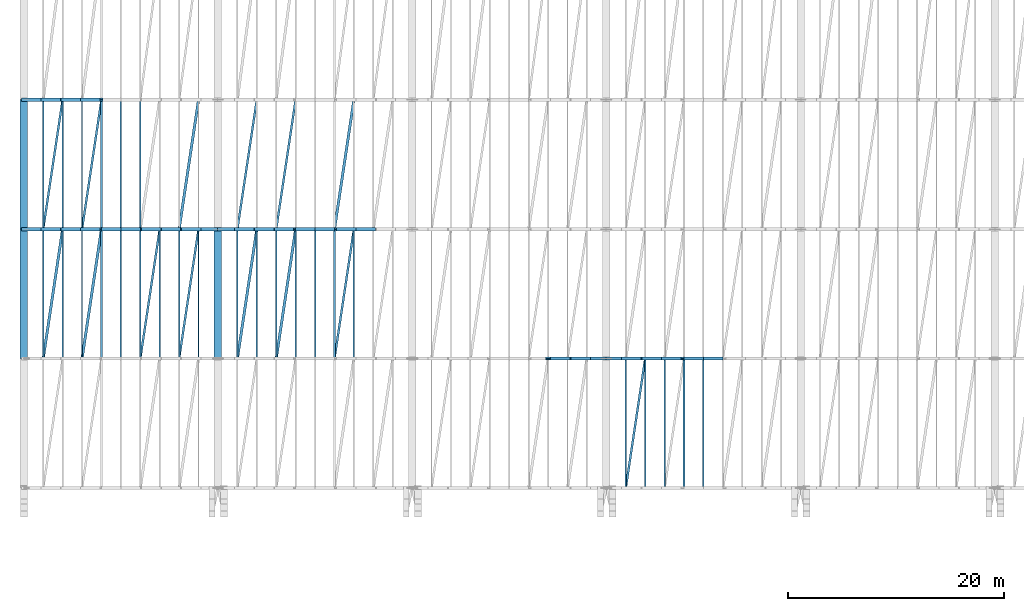
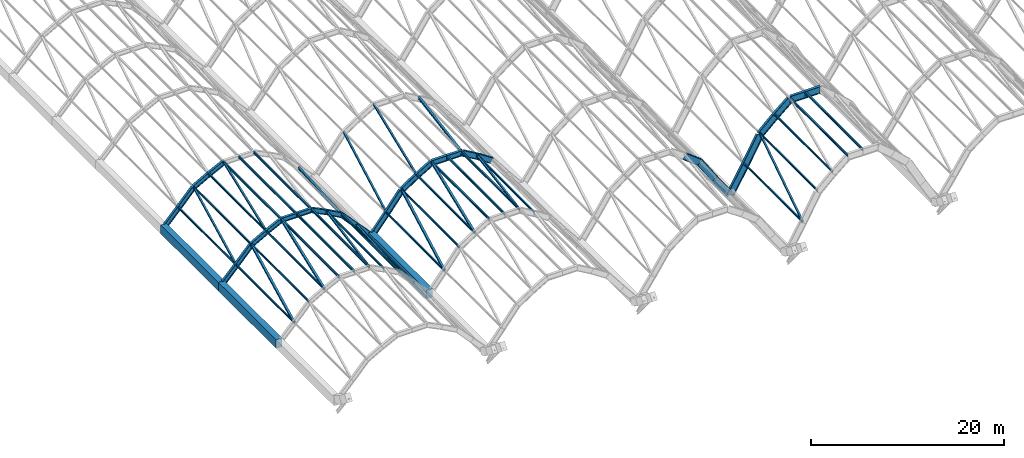
# One storey, part 9 of 86: 41 members, 34 beams.
"""IFC4 building model written with IfcOpenShell, lengths in metres."""

from ifc_helpers import new_model, si_unit, direction, frame, origin, origin_2d, place, context, subcontext, project, spatial, rectangle, i_section, extrude, material, material_profile, profile_set, type_object, element, save


model = new_model("IFC4")

# Units and contexts
model_context = context("Model", 3, precision=1e-05, world=origin(), true_north=direction((0.0, 1.0)))
body_context = subcontext(model_context, "Body", "Model", "MODEL_VIEW")
ifc_project = project(units=[si_unit("LENGTHUNIT", "METRE"), si_unit("AREAUNIT", "SQUARE_METRE"), si_unit("VOLUMEUNIT", "CUBIC_METRE"), si_unit("PLANEANGLEUNIT", "RADIAN"), si_unit("MASSUNIT", "GRAM", prefix="KILO")], contexts=[model_context])

# Site, building, storey
site_placement = place(None, origin())
site = spatial("IfcSite", under=ifc_project, at=site_placement, CompositionType="ELEMENT")
building_placement = place(site_placement, origin())
building = spatial("IfcBuilding", under=site, at=building_placement, Name="Chuanluo Vaults Station", CompositionType="ELEMENT")
storey_placement = place(building_placement, frame((0.0, 0.0, 14.39990234375)))
storey = spatial("IfcBuildingStorey", under=building, at=storey_placement, Name="L03", CompositionType="ELEMENT", Elevation=14.39990234375)

# Beams
ifc_material_1 = material(Name="Concrete C50", Category="concrete")
ifc_material_profile_1 = material_profile(ifc_material_1, rectangle(XDim=0.699951171875, YDim=1.10009765625, at=origin_2d()))
ifc_profile_set_1 = profile_set([ifc_material_profile_1], Name="Concrete C50")
beam_type_1 = type_object("IfcBeamType", Name="BM-VAL-RC", PredefinedType="USERDEFINED", material=ifc_profile_set_1)
for number, where, z_axis, x_axis, name in (
    (1, (0.0, 30.0, -0.7998046875), (0.0, 1.0, 0.0), (-1.0, 0.0, 0.0), "Vault springing valley beam X0-2"),
    (2, (0.0, 42.0, -0.7998046875), (0.0, 1.0, 0.0), (-1.0, 0.0, 0.0), "Vault springing valley beam X0-3"),
    (3, (18.0, 30.0, -0.7998046875), (0.0, 1.0, 0.0), (-1.0, 0.0, 0.0), "Vault springing valley beam X18-2"),
):
    element("IfcBeam", number, at=place(storey_placement, frame(where, z_axis=z_axis, x_axis=x_axis)), inside=storey, type_object=beam_type_1, Name=name, ObjectType="GIRDER", PredefinedType="USERDEFINED", context=body_context, shape_type="SweptSolid", body=[
        extrude(rectangle(XDim=0.699951171875, YDim=1.10009765625, at=origin_2d()), origin(), (0.0, 0.0, 1.0), 12.0),
    ])
ifc_material_2 = material(Name="Steel Q355C", Category="steel")
ifc_material_profile_2 = material_profile(ifc_material_2, i_section(OverallWidth=0.300048828125, OverallDepth=0.587890625, WebThickness=0.011962890625, FlangeThickness=0.02001953125, FilletRadius=0.02392578125, at=origin_2d()))
ifc_profile_set_2 = profile_set([ifc_material_profile_2], Name="Steel Q355C")
beam_type_2 = type_object("IfcBeamType", Name="BM-VLT-600", PredefinedType="USERDEFINED", material=ifc_profile_set_2)
beam_1_placement = place(storey_placement, frame((0.0, 42.0, -0.743896484375), z_axis=(0.684521510403, 0.0, 0.728992662374), x_axis=(0.0, 1.0, 0.0)))
element("IfcBeam", 4, at=beam_1_placement, inside=storey, type_object=beam_type_2, Name="Vault V1 arch rib 3 chord 1", ObjectType="GIRDER", PredefinedType="USERDEFINED", context=body_context, shape_type="SweptSolid", body=[
    extrude(i_section(OverallWidth=0.300048828125, OverallDepth=0.587890625, WebThickness=0.011962890625, FlangeThickness=0.02001953125, FilletRadius=0.02392578125, at=origin_2d()), origin(), (0.0, 0.0, 1.0), 2.629638671875),
])
beam_2_placement = place(storey_placement, frame((1.800048828125, 42.0, 1.173095703125), z_axis=(0.674369120381, 0.0, 0.738394399679), x_axis=(0.0, 1.0, 0.0)))
element("IfcBeam", 5, at=beam_2_placement, inside=storey, type_object=beam_type_2, Name="Vault V1 arch rib 3 chord 2", ObjectType="GIRDER", PredefinedType="USERDEFINED", context=body_context, shape_type="SweptSolid", body=[
    extrude(i_section(OverallWidth=0.300048828125, OverallDepth=0.587890625, WebThickness=0.011962890625, FlangeThickness=0.02001953125, FilletRadius=0.02392578125, at=origin_2d()), origin(), (0.0, 0.0, 1.0), 2.669189453125),
])
beam_3_placement = place(storey_placement, frame((3.60009765625, 42.0, 3.14404296875), z_axis=(0.873681685546, 0.0, 0.486498008569), x_axis=(0.0, 1.0, 0.0)))
element("IfcBeam", 6, at=beam_3_placement, inside=storey, type_object=beam_type_2, Name="Vault V1 arch rib 3 chord 3", ObjectType="GIRDER", PredefinedType="USERDEFINED", context=body_context, shape_type="SweptSolid", body=[
    extrude(i_section(OverallWidth=0.300048828125, OverallDepth=0.587890625, WebThickness=0.011962890625, FlangeThickness=0.02001953125, FilletRadius=0.02392578125, at=origin_2d()), origin(), (0.0, 0.0, 1.0), 2.06005859375),
])
beam_4_placement = place(storey_placement, frame((5.39990234375, 42.0, 4.146240234375), z_axis=(0.896436371213, 0.0, 0.443172463457), x_axis=(0.0, 1.0, 0.0)))
element("IfcBeam", 7, at=beam_4_placement, inside=storey, type_object=beam_type_2, Name="Vault V1 arch rib 3 chord 4", ObjectType="GIRDER", PredefinedType="USERDEFINED", context=body_context, shape_type="SweptSolid", body=[
    extrude(i_section(OverallWidth=0.300048828125, OverallDepth=0.587890625, WebThickness=0.011962890625, FlangeThickness=0.02001953125, FilletRadius=0.02392578125, at=origin_2d()), origin(), (0.0, 0.0, 1.0), 2.008056640625),
])
for number, where, z_axis, x_axis, name in (
    (8, (7.199951171875, 42.0, 5.0361328125), (1.0, 0.0, 0.0), (0.0, 1.0, 0.0), "Vault V1 arch rib 3 chord 5"),
    (9, (9.0, 42.0, 5.0361328125), (1.0, 0.0, 0.0), (0.0, 1.0, 0.0), "Vault V1 arch rib 3 chord 6"),
):
    element("IfcBeam", number, at=place(storey_placement, frame(where, z_axis=z_axis, x_axis=x_axis)), inside=storey, type_object=beam_type_2, Name=name, ObjectType="GIRDER", PredefinedType="USERDEFINED", context=body_context, shape_type="SweptSolid", body=[
        extrude(i_section(OverallWidth=0.300048828125, OverallDepth=0.587890625, WebThickness=0.011962890625, FlangeThickness=0.02001953125, FilletRadius=0.02392578125, at=origin_2d()), origin(), (0.0, 0.0, 1.0), 1.800048828125),
    ])
beam_5_placement = place(storey_placement, frame((10.800048828125, 42.0, 5.0361328125), z_axis=(0.896436371213, 0.0, -0.443172463457), x_axis=(0.0, 1.0, 0.0)))
element("IfcBeam", 10, at=beam_5_placement, inside=storey, type_object=beam_type_2, Name="Vault V1 arch rib 3 chord 7", ObjectType="GIRDER", PredefinedType="USERDEFINED", context=body_context, shape_type="SweptSolid", body=[
    extrude(i_section(OverallWidth=0.300048828125, OverallDepth=0.587890625, WebThickness=0.011962890625, FlangeThickness=0.02001953125, FilletRadius=0.02392578125, at=origin_2d()), origin(), (0.0, 0.0, 1.0), 2.008056640625),
])
beam_6_placement = place(storey_placement, frame((12.60009765625, 42.0, 4.146240234375), z_axis=(0.873681685546, 0.0, -0.486498008569), x_axis=(0.0, 1.0, 0.0)))
element("IfcBeam", 11, at=beam_6_placement, inside=storey, type_object=beam_type_2, Name="Vault V1 arch rib 3 chord 8", ObjectType="GIRDER", PredefinedType="USERDEFINED", context=body_context, shape_type="SweptSolid", body=[
    extrude(i_section(OverallWidth=0.300048828125, OverallDepth=0.587890625, WebThickness=0.011962890625, FlangeThickness=0.02001953125, FilletRadius=0.02392578125, at=origin_2d()), origin(), (0.0, 0.0, 1.0), 2.06005859375),
])
beam_7_placement = place(storey_placement, frame((14.39990234375, 42.0, 3.14404296875), z_axis=(0.674369120381, 0.0, -0.738394399679), x_axis=(0.0, 1.0, 0.0)))
element("IfcBeam", 12, at=beam_7_placement, inside=storey, type_object=beam_type_2, Name="Vault V1 arch rib 3 chord 9", ObjectType="GIRDER", PredefinedType="USERDEFINED", context=body_context, shape_type="SweptSolid", body=[
    extrude(i_section(OverallWidth=0.300048828125, OverallDepth=0.587890625, WebThickness=0.011962890625, FlangeThickness=0.02001953125, FilletRadius=0.02392578125, at=origin_2d()), origin(), (0.0, 0.0, 1.0), 2.669189453125),
])
for number, where, z_axis, x_axis, name in (
    (13, (16.199951171875, 42.0, 1.173095703125), (0.684521510403, 0.0, -0.728992662374), (0.0, 1.0, 0.0), "Vault V1 arch rib 3 chord 10"),
    (14, (0.0, 54.0, -0.743896484375), (0.684521510403, 0.0, 0.728992662374), (0.0, 1.0, 0.0), "Vault V1 arch rib 4 chord 1"),
):
    element("IfcBeam", number, at=place(storey_placement, frame(where, z_axis=z_axis, x_axis=x_axis)), inside=storey, type_object=beam_type_2, Name=name, ObjectType="GIRDER", PredefinedType="USERDEFINED", context=body_context, shape_type="SweptSolid", body=[
        extrude(i_section(OverallWidth=0.300048828125, OverallDepth=0.587890625, WebThickness=0.011962890625, FlangeThickness=0.02001953125, FilletRadius=0.02392578125, at=origin_2d()), origin(), (0.0, 0.0, 1.0), 2.629638671875),
    ])
beam_8_placement = place(storey_placement, frame((1.800048828125, 54.0, 1.173095703125), z_axis=(0.674369120381, 0.0, 0.738394399679), x_axis=(0.0, 1.0, 0.0)))
element("IfcBeam", 15, at=beam_8_placement, inside=storey, type_object=beam_type_2, Name="Vault V1 arch rib 4 chord 2", ObjectType="GIRDER", PredefinedType="USERDEFINED", context=body_context, shape_type="SweptSolid", body=[
    extrude(i_section(OverallWidth=0.300048828125, OverallDepth=0.587890625, WebThickness=0.011962890625, FlangeThickness=0.02001953125, FilletRadius=0.02392578125, at=origin_2d()), origin(), (0.0, 0.0, 1.0), 2.669189453125),
])
beam_9_placement = place(storey_placement, frame((3.60009765625, 54.0, 3.14404296875), z_axis=(0.873681685546, 0.0, 0.486498008569), x_axis=(0.0, 1.0, 0.0)))
element("IfcBeam", 16, at=beam_9_placement, inside=storey, type_object=beam_type_2, Name="Vault V1 arch rib 4 chord 3", ObjectType="GIRDER", PredefinedType="USERDEFINED", context=body_context, shape_type="SweptSolid", body=[
    extrude(i_section(OverallWidth=0.300048828125, OverallDepth=0.587890625, WebThickness=0.011962890625, FlangeThickness=0.02001953125, FilletRadius=0.02392578125, at=origin_2d()), origin(), (0.0, 0.0, 1.0), 2.06005859375),
])
beam_10_placement = place(storey_placement, frame((5.39990234375, 54.0, 4.146240234375), z_axis=(0.896436371213, 0.0, 0.443172463457), x_axis=(0.0, 1.0, 0.0)))
element("IfcBeam", 17, at=beam_10_placement, inside=storey, type_object=beam_type_2, Name="Vault V1 arch rib 4 chord 4", ObjectType="GIRDER", PredefinedType="USERDEFINED", context=body_context, shape_type="SweptSolid", body=[
    extrude(i_section(OverallWidth=0.300048828125, OverallDepth=0.587890625, WebThickness=0.011962890625, FlangeThickness=0.02001953125, FilletRadius=0.02392578125, at=origin_2d()), origin(), (0.0, 0.0, 1.0), 2.008056640625),
])
ifc_material_3 = material(Name="Steel Q355C", Category="steel")
ifc_material_profile_3 = material_profile(ifc_material_3, i_section(OverallWidth=0.300048828125, OverallDepth=0.699951171875, WebThickness=0.012939453125, FlangeThickness=0.02392578125, FilletRadius=0.02392578125, at=origin_2d()))
ifc_profile_set_3 = profile_set([ifc_material_profile_3], Name="Steel Q355C")
beam_type_3 = type_object("IfcBeamType", Name="BM-VLT-700", PredefinedType="USERDEFINED", material=ifc_profile_set_3)
beam_11_placement = place(storey_placement, frame((18.0, 42.0, -0.7998046875), z_axis=(0.628190338877, 0.0, 0.778059700885), x_axis=(0.0, 1.0, 0.0)))
element("IfcBeam", 18, at=beam_11_placement, inside=storey, type_object=beam_type_3, Name="Vault V2 arch rib 3 chord 1", ObjectType="GIRDER", PredefinedType="USERDEFINED", context=body_context, shape_type="SweptSolid", body=[
    extrude(i_section(OverallWidth=0.300048828125, OverallDepth=0.699951171875, WebThickness=0.012939453125, FlangeThickness=0.02392578125, FilletRadius=0.02392578125, at=origin_2d()), origin(), (0.0, 0.0, 1.0), 2.865478515625),
])
beam_12_placement = place(storey_placement, frame((19.800048828125, 42.0, 1.4296875), z_axis=(0.613681275736, 0.0, 0.789553856182), x_axis=(0.0, 1.0, 0.0)))
element("IfcBeam", 19, at=beam_12_placement, inside=storey, type_object=beam_type_3, Name="Vault V2 arch rib 3 chord 2", ObjectType="GIRDER", PredefinedType="USERDEFINED", context=body_context, shape_type="SweptSolid", body=[
    extrude(i_section(OverallWidth=0.300048828125, OverallDepth=0.699951171875, WebThickness=0.012939453125, FlangeThickness=0.02392578125, FilletRadius=0.02392578125, at=origin_2d()), origin(), (0.0, 0.0, 1.0), 2.93310546875),
])
beam_13_placement = place(storey_placement, frame((21.60009765625, 42.0, 3.74560546875), z_axis=(0.836145448105, 0.0, 0.54850778446), x_axis=(0.0, 1.0, 0.0)))
element("IfcBeam", 20, at=beam_13_placement, inside=storey, type_object=beam_type_3, Name="Vault V2 arch rib 3 chord 3", ObjectType="GIRDER", PredefinedType="USERDEFINED", context=body_context, shape_type="SweptSolid", body=[
    extrude(i_section(OverallWidth=0.300048828125, OverallDepth=0.699951171875, WebThickness=0.012939453125, FlangeThickness=0.02392578125, FilletRadius=0.02392578125, at=origin_2d()), origin(), (0.0, 0.0, 1.0), 2.152587890625),
])
beam_14_placement = place(storey_placement, frame((23.39990234375, 42.0, 4.92626953125), z_axis=(0.863009490662, 0.0, 0.505187706727), x_axis=(0.0, 1.0, 0.0)))
element("IfcBeam", 21, at=beam_14_placement, inside=storey, type_object=beam_type_3, Name="Vault V2 arch rib 3 chord 4", ObjectType="GIRDER", PredefinedType="USERDEFINED", context=body_context, shape_type="SweptSolid", body=[
    extrude(i_section(OverallWidth=0.300048828125, OverallDepth=0.699951171875, WebThickness=0.012939453125, FlangeThickness=0.02392578125, FilletRadius=0.02392578125, at=origin_2d()), origin(), (0.0, 0.0, 1.0), 2.085693359375),
])
for number, where, z_axis, x_axis, name in (
    (22, (25.199951171875, 42.0, 5.97998046875), (1.0, 0.0, 0.0), (0.0, 1.0, 0.0), "Vault V2 arch rib 3 chord 5"),
    (23, (27.0, 42.0, 5.97998046875), (1.0, 0.0, 0.0), (0.0, 1.0, 0.0), "Vault V2 arch rib 3 chord 6"),
):
    element("IfcBeam", number, at=place(storey_placement, frame(where, z_axis=z_axis, x_axis=x_axis)), inside=storey, type_object=beam_type_3, Name=name, ObjectType="GIRDER", PredefinedType="USERDEFINED", context=body_context, shape_type="SweptSolid", body=[
        extrude(i_section(OverallWidth=0.300048828125, OverallDepth=0.699951171875, WebThickness=0.012939453125, FlangeThickness=0.02392578125, FilletRadius=0.02392578125, at=origin_2d()), origin(), (0.0, 0.0, 1.0), 1.800048828125),
    ])
beam_15_placement = place(storey_placement, frame((28.800048828125, 42.0, 5.97998046875), z_axis=(0.863009490662, 0.0, -0.505187706727), x_axis=(0.0, 1.0, 0.0)))
element("IfcBeam", 24, at=beam_15_placement, inside=storey, type_object=beam_type_3, Name="Vault V2 arch rib 3 chord 7", ObjectType="GIRDER", PredefinedType="USERDEFINED", context=body_context, shape_type="SweptSolid", body=[
    extrude(i_section(OverallWidth=0.300048828125, OverallDepth=0.699951171875, WebThickness=0.012939453125, FlangeThickness=0.02392578125, FilletRadius=0.02392578125, at=origin_2d()), origin(), (0.0, 0.0, 1.0), 2.085693359375),
])
beam_16_placement = place(storey_placement, frame((30.60009765625, 42.0, 4.92626953125), z_axis=(0.836145448105, 0.0, -0.54850778446), x_axis=(0.0, 1.0, 0.0)))
element("IfcBeam", 25, at=beam_16_placement, inside=storey, type_object=beam_type_3, Name="Vault V2 arch rib 3 chord 8", ObjectType="GIRDER", PredefinedType="USERDEFINED", context=body_context, shape_type="SweptSolid", body=[
    extrude(i_section(OverallWidth=0.300048828125, OverallDepth=0.699951171875, WebThickness=0.012939453125, FlangeThickness=0.02392578125, FilletRadius=0.02392578125, at=origin_2d()), origin(), (0.0, 0.0, 1.0), 2.152587890625),
])
ifc_material_4 = material(Name="Steel Q355C", Category="steel")
ifc_material_profile_4 = material_profile(ifc_material_4, i_section(OverallWidth=0.300048828125, OverallDepth=0.800048828125, WebThickness=0.013916015625, FlangeThickness=0.02587890625, FilletRadius=0.02392578125, at=origin_2d()))
ifc_profile_set_4 = profile_set([ifc_material_profile_4], Name="Steel Q355C")
beam_type_4 = type_object("IfcBeamType", Name="BM-VLT-800", PredefinedType="USERDEFINED", material=ifc_profile_set_4)
beam_17_placement = place(storey_placement, frame((48.60009765625, 30.0, 5.8779296875), z_axis=(0.790274889356, 0.0, -0.612752477965), x_axis=(0.0, 1.0, 0.0)))
element("IfcBeam", 26, at=beam_17_placement, inside=storey, type_object=beam_type_4, Name="Vault V3 arch rib 2 chord 8", ObjectType="GIRDER", PredefinedType="USERDEFINED", context=body_context, shape_type="SweptSolid", body=[
    extrude(i_section(OverallWidth=0.300048828125, OverallDepth=0.800048828125, WebThickness=0.013916015625, FlangeThickness=0.02587890625, FilletRadius=0.02392578125, at=origin_2d()), origin(), (0.0, 0.0, 1.0), 2.27734375),
])
beam_18_placement = place(storey_placement, frame((50.39990234375, 30.0, 4.482421875), z_axis=(0.550471867992, 0.0, -0.834853713263), x_axis=(0.0, 1.0, 0.0)))
element("IfcBeam", 27, at=beam_18_placement, inside=storey, type_object=beam_type_4, Name="Vault V3 arch rib 2 chord 9", ObjectType="GIRDER", PredefinedType="USERDEFINED", context=body_context, shape_type="SweptSolid", body=[
    extrude(i_section(OverallWidth=0.300048828125, OverallDepth=0.800048828125, WebThickness=0.013916015625, FlangeThickness=0.02587890625, FilletRadius=0.02392578125, at=origin_2d()), origin(), (0.0, 0.0, 1.0), 3.27001953125),
])
beam_19_placement = place(storey_placement, frame((52.199951171875, 30.0, 1.75244140625), z_axis=(0.568880934439, 0.0, -0.822419894234), x_axis=(0.0, 1.0, 0.0)))
element("IfcBeam", 28, at=beam_19_placement, inside=storey, type_object=beam_type_4, Name="Vault V3 arch rib 2 chord 10", ObjectType="GIRDER", PredefinedType="USERDEFINED", context=body_context, shape_type="SweptSolid", body=[
    extrude(i_section(OverallWidth=0.300048828125, OverallDepth=0.800048828125, WebThickness=0.013916015625, FlangeThickness=0.02587890625, FilletRadius=0.02392578125, at=origin_2d()), origin(), (0.0, 0.0, 1.0), 3.164306640625),
])
ifc_material_5 = material(Name="Steel Q355C", Category="steel")
ifc_material_profile_5 = material_profile(ifc_material_5, i_section(OverallWidth=0.300048828125, OverallDepth=0.89990234375, WebThickness=0.01611328125, FlangeThickness=0.028076171875, FilletRadius=0.02392578125, at=origin_2d()))
ifc_profile_set_5 = profile_set([ifc_material_profile_5], Name="Steel Q355C")
beam_type_5 = type_object("IfcBeamType", Name="BM-VLT-900", PredefinedType="USERDEFINED", material=ifc_profile_set_5)
beam_20_placement = place(storey_placement, frame((54.0, 30.0, -0.89990234375), z_axis=(0.502607424266, 0.0, 0.864514763941), x_axis=(0.0, 1.0, 0.0)))
element("IfcBeam", 29, at=beam_20_placement, inside=storey, type_object=beam_type_5, Name="Vault V4 arch rib 2 chord 1", ObjectType="GIRDER", PredefinedType="USERDEFINED", context=body_context, shape_type="SweptSolid", body=[
    extrude(i_section(OverallWidth=0.300048828125, OverallDepth=0.89990234375, WebThickness=0.01611328125, FlangeThickness=0.028076171875, FilletRadius=0.02392578125, at=origin_2d()), origin(), (0.0, 0.0, 1.0), 3.58154296875),
])
beam_21_placement = place(storey_placement, frame((55.800048828125, 30.0, 2.1962890625), z_axis=(0.480856872349, 0.0, 0.876799103738), x_axis=(0.0, 1.0, 0.0)))
element("IfcBeam", 30, at=beam_21_placement, inside=storey, type_object=beam_type_5, Name="Vault V4 arch rib 2 chord 2", ObjectType="GIRDER", PredefinedType="USERDEFINED", context=body_context, shape_type="SweptSolid", body=[
    extrude(i_section(OverallWidth=0.300048828125, OverallDepth=0.89990234375, WebThickness=0.01611328125, FlangeThickness=0.028076171875, FilletRadius=0.02392578125, at=origin_2d()), origin(), (0.0, 0.0, 1.0), 3.743408203125),
])
beam_22_placement = place(storey_placement, frame((57.60009765625, 30.0, 5.478515625), z_axis=(0.730389392317, 0.0, 0.683030991676), x_axis=(0.0, 1.0, 0.0)))
element("IfcBeam", 31, at=beam_22_placement, inside=storey, type_object=beam_type_5, Name="Vault V4 arch rib 2 chord 3", ObjectType="GIRDER", PredefinedType="USERDEFINED", context=body_context, shape_type="SweptSolid", body=[
    extrude(i_section(OverallWidth=0.300048828125, OverallDepth=0.89990234375, WebThickness=0.01611328125, FlangeThickness=0.028076171875, FilletRadius=0.02392578125, at=origin_2d()), origin(), (0.0, 0.0, 1.0), 2.464111328125),
])
beam_23_placement = place(storey_placement, frame((59.39990234375, 30.0, 7.16162109375), z_axis=(0.76434097912, 0.0, 0.644812273176), x_axis=(0.0, 1.0, 0.0)))
element("IfcBeam", 32, at=beam_23_placement, inside=storey, type_object=beam_type_5, Name="Vault V4 arch rib 2 chord 4", ObjectType="GIRDER", PredefinedType="USERDEFINED", context=body_context, shape_type="SweptSolid", body=[
    extrude(i_section(OverallWidth=0.300048828125, OverallDepth=0.89990234375, WebThickness=0.01611328125, FlangeThickness=0.028076171875, FilletRadius=0.02392578125, at=origin_2d()), origin(), (0.0, 0.0, 1.0), 2.35498046875),
])
for number, where, z_axis, x_axis, name in (
    (33, (61.199951171875, 30.0, 8.68017578125), (1.0, 0.0, 0.0), (0.0, 1.0, 0.0), "Vault V4 arch rib 2 chord 5"),
    (34, (63.0, 30.0, 8.68017578125), (1.0, 0.0, 0.0), (0.0, 1.0, 0.0), "Vault V4 arch rib 2 chord 6"),
):
    element("IfcBeam", number, at=place(storey_placement, frame(where, z_axis=z_axis, x_axis=x_axis)), inside=storey, type_object=beam_type_5, Name=name, ObjectType="GIRDER", PredefinedType="USERDEFINED", context=body_context, shape_type="SweptSolid", body=[
        extrude(i_section(OverallWidth=0.300048828125, OverallDepth=0.89990234375, WebThickness=0.01611328125, FlangeThickness=0.028076171875, FilletRadius=0.02392578125, at=origin_2d()), origin(), (0.0, 0.0, 1.0), 1.800048828125),
    ])

# Members
ifc_material_6 = material(Name="Steel Q355C", Category="steel")
ifc_material_profile_6 = material_profile(ifc_material_6, i_section(OverallWidth=0.125, OverallDepth=0.25, WebThickness=0.006103515625, FlangeThickness=0.009033203125, FilletRadius=0.011962890625, at=origin_2d()))
ifc_profile_set_6 = profile_set([ifc_material_profile_6], Name="Steel Q355C")
member_type_1 = type_object("IfcMemberType", Name="MEM-PUR-250", PredefinedType="PURLIN", material=ifc_profile_set_6)
for number, where, z_axis, x_axis, name in (
    (35, (1.800048828125, 30.0, 1.213134765625), (0.0, 1.0, 0.0), (-1.0, 0.0, 0.0), "Vault V1 purlin 2.1"),
    (36, (3.60009765625, 30.0, 3.206787109375), (0.0, 1.0, 0.0), (-1.0, 0.0, 0.0), "Vault V1 purlin 2.2"),
    (37, (5.39990234375, 30.0, 4.23779296875), (0.0, 1.0, 0.0), (-1.0, 0.0, 0.0), "Vault V1 purlin 2.3"),
    (38, (12.60009765625, 30.0, 4.23779296875), (0.0, 1.0, 0.0), (-1.0, 0.0, 0.0), "Vault V1 purlin 2.7"),
    (39, (14.39990234375, 30.0, 3.206787109375), (0.0, 1.0, 0.0), (-1.0, 0.0, 0.0), "Vault V1 purlin 2.8"),
    (40, (16.199951171875, 30.0, 1.213134765625), (0.0, 1.0, 0.0), (-1.0, 0.0, 0.0), "Vault V1 purlin 2.9"),
    (41, (1.800048828125, 42.0, 1.213134765625), (0.0, 1.0, 0.0), (-1.0, 0.0, 0.0), "Vault V1 purlin 3.1"),
    (42, (3.60009765625, 42.0, 3.206787109375), (0.0, 1.0, 0.0), (-1.0, 0.0, 0.0), "Vault V1 purlin 3.2"),
    (43, (5.39990234375, 42.0, 4.23779296875), (0.0, 1.0, 0.0), (-1.0, 0.0, 0.0), "Vault V1 purlin 3.3"),
    (44, (19.800048828125, 30.0, 1.5126953125), (0.0, 1.0, 0.0), (-1.0, 0.0, 0.0), "Vault V2 purlin 2.1"),
    (45, (21.60009765625, 30.0, 3.849853515625), (0.0, 1.0, 0.0), (-1.0, 0.0, 0.0), "Vault V2 purlin 2.2"),
    (46, (23.39990234375, 30.0, 5.068115234375), (0.0, 1.0, 0.0), (-1.0, 0.0, 0.0), "Vault V2 purlin 2.3"),
    (47, (30.60009765625, 30.0, 5.068115234375), (0.0, 1.0, 0.0), (-1.0, 0.0, 0.0), "Vault V2 purlin 2.7"),
    (48, (55.800048828125, 18.0, 2.3427734375), (0.0, 1.0, 0.0), (-1.0, 0.0, 0.0), "Vault V4 purlin 1.1"),
    (49, (57.60009765625, 18.0, 5.642578125), (0.0, 1.0, 0.0), (-1.0, 0.0, 0.0), "Vault V4 purlin 1.2"),
    (50, (59.39990234375, 18.0, 7.38720703125), (0.0, 1.0, 0.0), (-1.0, 0.0, 0.0), "Vault V4 purlin 1.3"),
):
    element("IfcMember", number, at=place(storey_placement, frame(where, z_axis=z_axis, x_axis=x_axis)), inside=storey, type_object=member_type_1, Name=name, PredefinedType="PURLIN", context=body_context, shape_type="SweptSolid", body=[
        extrude(i_section(OverallWidth=0.125, OverallDepth=0.25, WebThickness=0.006103515625, FlangeThickness=0.009033203125, FilletRadius=0.011962890625, at=origin_2d()), origin(), (0.0, 0.0, 1.0), 12.0),
    ])
ifc_material_7 = material(Name="Steel Q355C", Category="steel")
ifc_material_profile_7 = material_profile(ifc_material_7, i_section(OverallWidth=0.14990234375, OverallDepth=0.300048828125, WebThickness=0.006591796875, FlangeThickness=0.009033203125, FilletRadius=0.012939453125, at=origin_2d()))
ifc_profile_set_7 = profile_set([ifc_material_profile_7], Name="Steel Q355C")
member_type_2 = type_object("IfcMemberType", Name="MEM-PUR-300", PredefinedType="PURLIN", material=ifc_profile_set_7)
for number, where, z_axis, x_axis, name in (
    (51, (7.199951171875, 30.0, 5.102294921875), (0.0, 1.0, 0.0), (-1.0, 0.0, 0.0), "Vault V1 purlin 2.4"),
    (52, (9.0, 30.0, 5.172119140625), (0.0, 1.0, 0.0), (-1.0, 0.0, 0.0), "Vault V1 purlin 2.5"),
    (53, (10.800048828125, 30.0, 5.102294921875), (0.0, 1.0, 0.0), (-1.0, 0.0, 0.0), "Vault V1 purlin 2.6"),
    (54, (7.199951171875, 42.0, 5.102294921875), (0.0, 1.0, 0.0), (-1.0, 0.0, 0.0), "Vault V1 purlin 3.4"),
    (55, (9.0, 42.0, 5.172119140625), (0.0, 1.0, 0.0), (-1.0, 0.0, 0.0), "Vault V1 purlin 3.5"),
    (56, (10.800048828125, 42.0, 5.102294921875), (0.0, 1.0, 0.0), (-1.0, 0.0, 0.0), "Vault V1 purlin 3.6"),
    (57, (25.199951171875, 30.0, 6.085693359375), (0.0, 1.0, 0.0), (-1.0, 0.0, 0.0), "Vault V2 purlin 2.4"),
    (58, (27.0, 30.0, 6.172119140625), (0.0, 1.0, 0.0), (-1.0, 0.0, 0.0), "Vault V2 purlin 2.5"),
    (59, (28.800048828125, 30.0, 6.085693359375), (0.0, 1.0, 0.0), (-1.0, 0.0, 0.0), "Vault V2 purlin 2.6"),
    (60, (61.199951171875, 18.0, 8.834228515625), (0.0, 1.0, 0.0), (-1.0, 0.0, 0.0), "Vault V4 purlin 1.4"),
    (61, (63.0, 18.0, 8.97216796875), (0.0, 1.0, 0.0), (-1.0, 0.0, 0.0), "Vault V4 purlin 1.5"),
):
    element("IfcMember", number, at=place(storey_placement, frame(where, z_axis=z_axis, x_axis=x_axis)), inside=storey, type_object=member_type_2, Name=name, PredefinedType="PURLIN", context=body_context, shape_type="SweptSolid", body=[
        extrude(i_section(OverallWidth=0.14990234375, OverallDepth=0.300048828125, WebThickness=0.006591796875, FlangeThickness=0.009033203125, FilletRadius=0.012939453125, at=origin_2d()), origin(), (0.0, 0.0, 1.0), 12.0),
    ])
ifc_material_8 = material(Name="Steel Q355C", Category="steel")
ifc_material_profile_8 = material_profile(ifc_material_8, i_section(OverallWidth=0.199951171875, OverallDepth=0.199951171875, WebThickness=0.008056640625, FlangeThickness=0.011962890625, FilletRadius=0.012939453125, at=origin_2d()))
ifc_profile_set_8 = profile_set([ifc_material_profile_8], Name="Steel Q355C")
member_type_3 = type_object("IfcMemberType", Name="MEM-VBR-200", PredefinedType="BRACE", material=ifc_profile_set_8)
member_1_placement = place(storey_placement, frame((10.800048828125, 30.0, 5.102294921875), z_axis=(0.147969331357, 0.986435450271, -0.071064614449), x_axis=(-0.988935762544, 0.148344388372, 0.0)))
element("IfcMember", 62, at=member_1_placement, inside=storey, type_object=member_type_3, Name="Vault V1 space-frame diagonal 2.6", PredefinedType="BRACE", context=body_context, shape_type="SweptSolid", body=[
    extrude(i_section(OverallWidth=0.199951171875, OverallDepth=0.199951171875, WebThickness=0.008056640625, FlangeThickness=0.011962890625, FilletRadius=0.012939453125, at=origin_2d()), origin(), (0.0, 0.0, 1.0), 12.1650390625),
])
for number, where, z_axis, x_axis, name in (
    (63, (14.39990234375, 30.0, 3.206787109375), (0.146381805557, 0.975852232025, -0.162125840794), (-0.988935762544, 0.148344388372, 0.0), "Vault V1 space-frame diagonal 2.8"),
    (64, (1.800048828125, 42.0, 1.213134765625), (0.146381805557, 0.975852232025, 0.162125840794), (-0.988935762544, 0.148344388372, 0.0), "Vault V1 space-frame diagonal 3.1"),
):
    element("IfcMember", number, at=place(storey_placement, frame(where, z_axis=z_axis, x_axis=x_axis)), inside=storey, type_object=member_type_3, Name=name, PredefinedType="BRACE", context=body_context, shape_type="SweptSolid", body=[
        extrude(i_section(OverallWidth=0.199951171875, OverallDepth=0.199951171875, WebThickness=0.008056640625, FlangeThickness=0.011962890625, FilletRadius=0.012939453125, at=origin_2d()), origin(), (0.0, 0.0, 1.0), 12.296875),
    ])
member_2_placement = place(storey_placement, frame((5.39990234375, 42.0, 4.23779296875), z_axis=(0.147969331357, 0.986435450271, 0.071064614449), x_axis=(-0.988935762544, 0.148344388372, 0.0)))
element("IfcMember", 65, at=member_2_placement, inside=storey, type_object=member_type_3, Name="Vault V1 space-frame diagonal 3.3", PredefinedType="BRACE", context=body_context, shape_type="SweptSolid", body=[
    extrude(i_section(OverallWidth=0.199951171875, OverallDepth=0.199951171875, WebThickness=0.008056640625, FlangeThickness=0.011962890625, FilletRadius=0.012939453125, at=origin_2d()), origin(), (0.0, 0.0, 1.0), 12.1650390625),
])
member_3_placement = place(storey_placement, frame((28.800048828125, 30.0, 6.085693359375), z_axis=(0.147825508235, 0.985476655471, -0.083566623942), x_axis=(-0.988935762544, 0.148344388372, 0.0)))
element("IfcMember", 66, at=member_3_placement, inside=storey, type_object=member_type_3, Name="Vault V2 space-frame diagonal 2.6", PredefinedType="BRACE", context=body_context, shape_type="SweptSolid", body=[
    extrude(i_section(OverallWidth=0.199951171875, OverallDepth=0.199951171875, WebThickness=0.008056640625, FlangeThickness=0.011962890625, FilletRadius=0.012939453125, at=origin_2d()), origin(), (0.0, 0.0, 1.0), 12.1767578125),
])
member_4_placement = place(storey_placement, frame((19.800048828125, 42.0, 1.5126953125), z_axis=(0.145667019671, 0.971087122046, 0.189132019437), x_axis=(-0.988935762544, 0.148344388372, 0.0)))
element("IfcMember", 67, at=member_4_placement, inside=storey, type_object=member_type_3, Name="Vault V2 space-frame diagonal 3.1", PredefinedType="BRACE", context=body_context, shape_type="SweptSolid", body=[
    extrude(i_section(OverallWidth=0.199951171875, OverallDepth=0.199951171875, WebThickness=0.008056640625, FlangeThickness=0.011962890625, FilletRadius=0.012939453125, at=origin_2d()), origin(), (0.0, 0.0, 1.0), 12.357177734375),
])
member_5_placement = place(storey_placement, frame((23.39990234375, 42.0, 5.068115234375), z_axis=(0.147825508235, 0.985476655471, 0.083566623942), x_axis=(-0.988935762544, 0.148344388372, 0.0)))
element("IfcMember", 68, at=member_5_placement, inside=storey, type_object=member_type_3, Name="Vault V2 space-frame diagonal 3.3", PredefinedType="BRACE", context=body_context, shape_type="SweptSolid", body=[
    extrude(i_section(OverallWidth=0.199951171875, OverallDepth=0.199951171875, WebThickness=0.008056640625, FlangeThickness=0.011962890625, FilletRadius=0.012939453125, at=origin_2d()), origin(), (0.0, 0.0, 1.0), 12.1767578125),
])
member_6_placement = place(storey_placement, frame((55.800048828125, 18.0, 2.3427734375), z_axis=(0.143145822797, 0.95427959882, 0.262411357781), x_axis=(-0.988935762544, 0.148344388372, 0.0)))
element("IfcMember", 69, at=member_6_placement, inside=storey, type_object=member_type_3, Name="Vault V4 space-frame diagonal 1.1", PredefinedType="BRACE", context=body_context, shape_type="SweptSolid", body=[
    extrude(i_section(OverallWidth=0.199951171875, OverallDepth=0.199951171875, WebThickness=0.008056640625, FlangeThickness=0.011962890625, FilletRadius=0.012939453125, at=origin_2d()), origin(), (0.0, 0.0, 1.0), 12.574951171875),
])
ifc_material_9 = material(Name="Steel Q355C", Category="steel")
ifc_material_profile_9 = material_profile(ifc_material_9, i_section(OverallWidth=0.25, OverallDepth=0.25, WebThickness=0.009033203125, FlangeThickness=0.013916015625, FilletRadius=0.01611328125, at=origin_2d()))
ifc_profile_set_9 = profile_set([ifc_material_profile_9], Name="Steel Q355C")
member_type_4 = type_object("IfcMemberType", Name="MEM-VBR-250", PredefinedType="BRACE", material=ifc_profile_set_9)
member_7_placement = place(storey_placement, frame((1.800048828125, 30.0, 1.213134765625), z_axis=(0.146381805557, 0.975852232025, 0.162125840794), x_axis=(-0.988935762544, 0.148344388372, 0.0)))
element("IfcMember", 70, at=member_7_placement, inside=storey, type_object=member_type_4, Name="Vault V1 space-frame diagonal 2.1", PredefinedType="BRACE", context=body_context, shape_type="SweptSolid", body=[
    extrude(i_section(OverallWidth=0.25, OverallDepth=0.25, WebThickness=0.009033203125, FlangeThickness=0.013916015625, FilletRadius=0.01611328125, at=origin_2d()), origin(), (0.0, 0.0, 1.0), 12.296875),
])
member_8_placement = place(storey_placement, frame((5.39990234375, 30.0, 4.23779296875), z_axis=(0.147969331357, 0.986435450271, 0.071064614449), x_axis=(-0.988935762544, 0.148344388372, 0.0)))
element("IfcMember", 71, at=member_8_placement, inside=storey, type_object=member_type_4, Name="Vault V1 space-frame diagonal 2.3", PredefinedType="BRACE", context=body_context, shape_type="SweptSolid", body=[
    extrude(i_section(OverallWidth=0.25, OverallDepth=0.25, WebThickness=0.009033203125, FlangeThickness=0.013916015625, FilletRadius=0.01611328125, at=origin_2d()), origin(), (0.0, 0.0, 1.0), 12.1650390625),
])
member_9_placement = place(storey_placement, frame((14.39990234375, 42.0, 3.206787109375), z_axis=(0.146381805557, 0.975852232025, -0.162125840794), x_axis=(-0.988935762544, 0.148344388372, 0.0)))
element("IfcMember", 72, at=member_9_placement, inside=storey, type_object=member_type_4, Name="Vault V1 space-frame diagonal 3.8", PredefinedType="BRACE", context=body_context, shape_type="SweptSolid", body=[
    extrude(i_section(OverallWidth=0.25, OverallDepth=0.25, WebThickness=0.009033203125, FlangeThickness=0.013916015625, FilletRadius=0.01611328125, at=origin_2d()), origin(), (0.0, 0.0, 1.0), 12.296875),
])
member_10_placement = place(storey_placement, frame((19.800048828125, 30.0, 1.5126953125), z_axis=(0.145667019671, 0.971087122046, 0.189132019437), x_axis=(-0.988935762544, 0.148344388372, 0.0)))
element("IfcMember", 73, at=member_10_placement, inside=storey, type_object=member_type_4, Name="Vault V2 space-frame diagonal 2.1", PredefinedType="BRACE", context=body_context, shape_type="SweptSolid", body=[
    extrude(i_section(OverallWidth=0.25, OverallDepth=0.25, WebThickness=0.009033203125, FlangeThickness=0.013916015625, FilletRadius=0.01611328125, at=origin_2d()), origin(), (0.0, 0.0, 1.0), 12.357177734375),
])
for number, where, z_axis, x_axis, name in (
    (74, (23.39990234375, 30.0, 5.068115234375), (0.147825508235, 0.985476655471, 0.083566623942), (-0.988935762544, 0.148344388372, 0.0), "Vault V2 space-frame diagonal 2.3"),
    (75, (28.800048828125, 42.0, 6.085693359375), (0.147825508235, 0.985476655471, -0.083566623942), (-0.988935762544, 0.148344388372, 0.0), "Vault V2 space-frame diagonal 3.6"),
):
    element("IfcMember", number, at=place(storey_placement, frame(where, z_axis=z_axis, x_axis=x_axis)), inside=storey, type_object=member_type_4, Name=name, PredefinedType="BRACE", context=body_context, shape_type="SweptSolid", body=[
        extrude(i_section(OverallWidth=0.25, OverallDepth=0.25, WebThickness=0.009033203125, FlangeThickness=0.013916015625, FilletRadius=0.01611328125, at=origin_2d()), origin(), (0.0, 0.0, 1.0), 12.1767578125),
    ])

save(model, "model.ifc")
